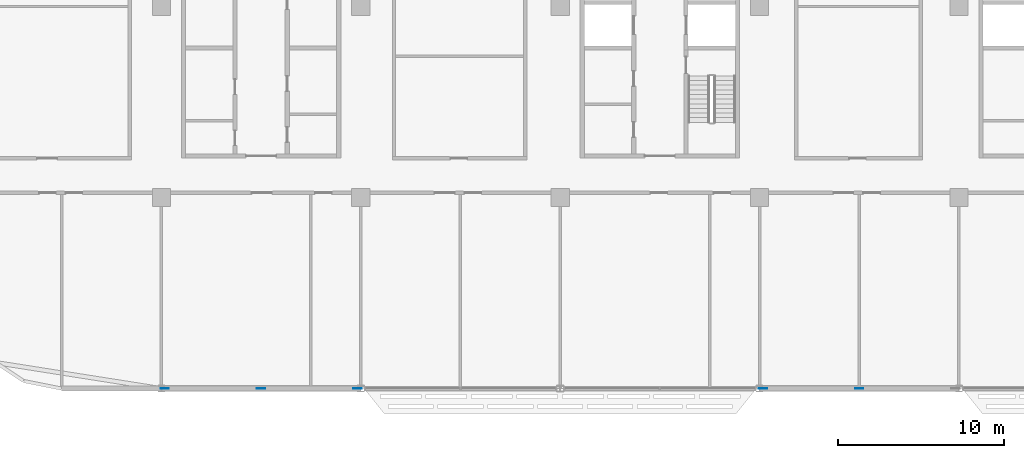
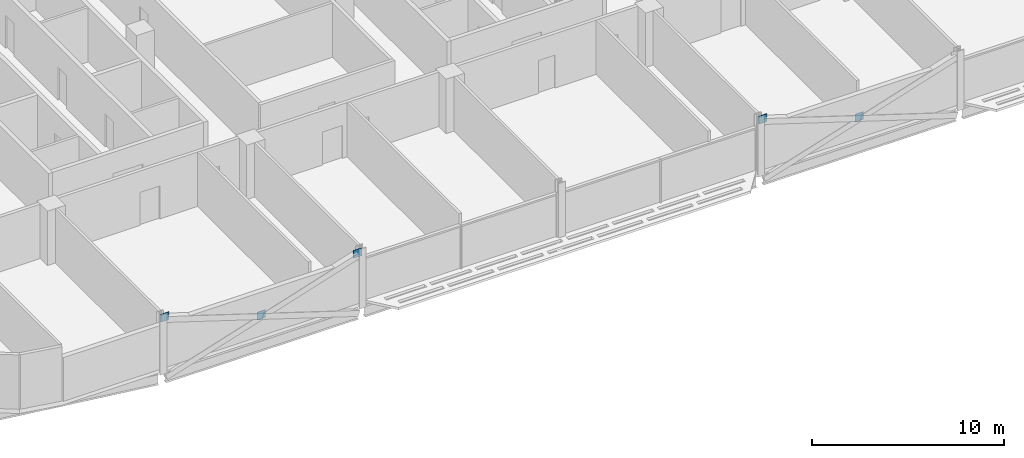
# One storey, part 20 of 30: 5 discrete accessories.
"""IFC4 building model written with IfcOpenShell, lengths in metres."""

from ifc_helpers import new_model, si_unit, direction, frame, origin, origin_2d, place, context, subcontext, project, spatial, rectangle, extrude, material, layer, layer_set, type_object, element, save


model = new_model("IFC4")

# Units and contexts
model_context = context("Model", 3, precision=1e-05, world=origin(), true_north=direction((0.0, 1.0)))
body_context = subcontext(model_context, "Body", "Model", "MODEL_VIEW")
ifc_project = project(units=[si_unit("LENGTHUNIT", "METRE"), si_unit("AREAUNIT", "SQUARE_METRE"), si_unit("VOLUMEUNIT", "CUBIC_METRE"), si_unit("PLANEANGLEUNIT", "RADIAN"), si_unit("MASSUNIT", "GRAM", prefix="KILO")], contexts=[model_context])

# Site, building, storey
site_placement = place(None, origin())
site = spatial("IfcSite", under=ifc_project, at=site_placement, CompositionType="ELEMENT")
building_placement = place(site_placement, origin())
building = spatial("IfcBuilding", under=site, at=building_placement, Name="Mahtab Terrace Research Tower", CompositionType="ELEMENT")
storey_placement = place(building_placement, frame((0.0, 0.0, 201.5)))
storey = spatial("IfcBuildingStorey", under=building, at=storey_placement, Name="L48", CompositionType="ELEMENT", Elevation=201.5)

# Discrete accessories
ifc_material = material(Name="Steel ASTM A992 Gr 50", Category="steel")
ifc_layer = layer(ifc_material, 0.030029296875)
ifc_layer_set = layer_set([ifc_layer], Name="Gusset plate 500x500x30")
discrete_accessory_type = type_object("IfcDiscreteAccessoryType", Name="Gusset plate 500x500x30", PredefinedType="USERDEFINED", material=ifc_layer_set)
for number, where, z_axis, x_axis, name in (
    (1, (-29.79931640625, -23.0, 2.870849609375), (0.0, 0.0, 1.0), (1.0, 0.0, 0.0), "Gusset plate"),
    (2, (-24.0, -23.0, 0.970947265625), (0.0, 0.0, 1.0), (1.0, 0.0, 0.0), "Gusset plate"),
    (3, (-18.20068359375, -23.0, 2.870849609375), (0.0, 0.0, 1.0), (1.0, 0.0, 0.0), "Gusset plate"),
    (4, (6.20068359375, -23.0, 2.870849609375), (0.0, 0.0, 1.0), (1.0, 0.0, 0.0), "Gusset plate"),
    (5, (12.0, -23.0, 0.970947265625), (0.0, 0.0, 1.0), (1.0, 0.0, 0.0), "Gusset plate"),
):
    element("IfcDiscreteAccessory", number, at=place(storey_placement, frame(where, z_axis=z_axis, x_axis=x_axis)), inside=storey, type_object=discrete_accessory_type, Name=name, ObjectType="GUSSET PLATE", PredefinedType="USERDEFINED", context=body_context, shape_type="SweptSolid", body=[
        extrude(rectangle(XDim=0.5, YDim=0.030029296875, at=origin_2d()), origin(), (0.0, 0.0, 1.0), 0.5),
    ])

save(model, "model.ifc")
